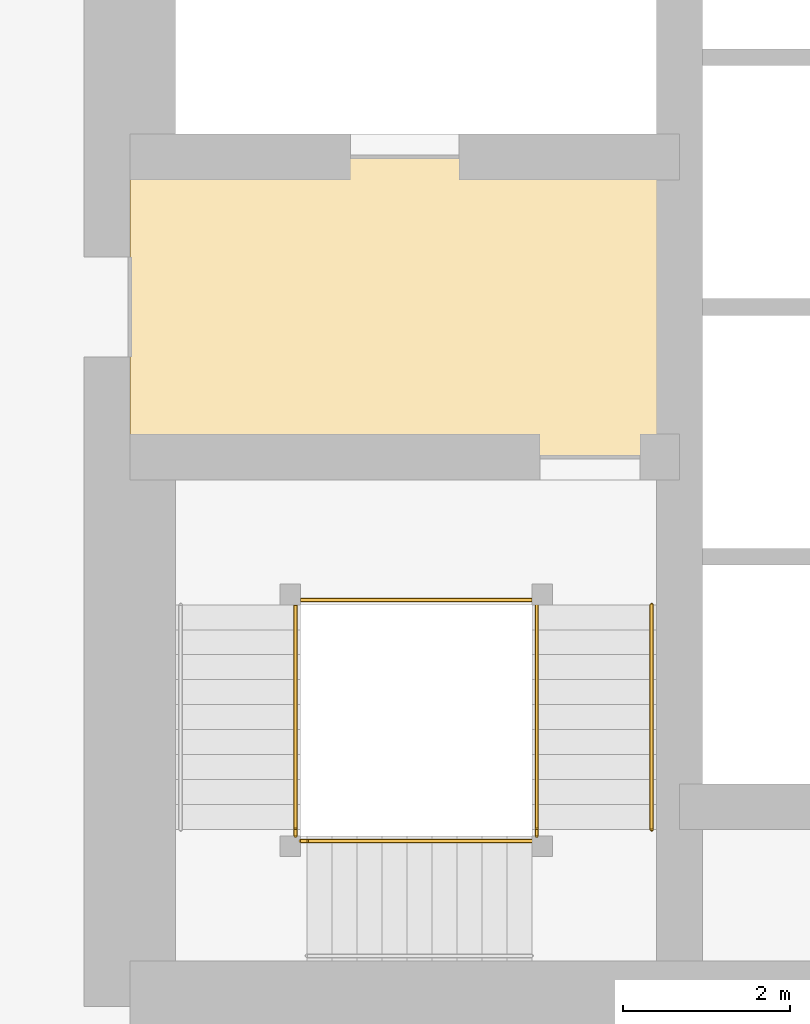
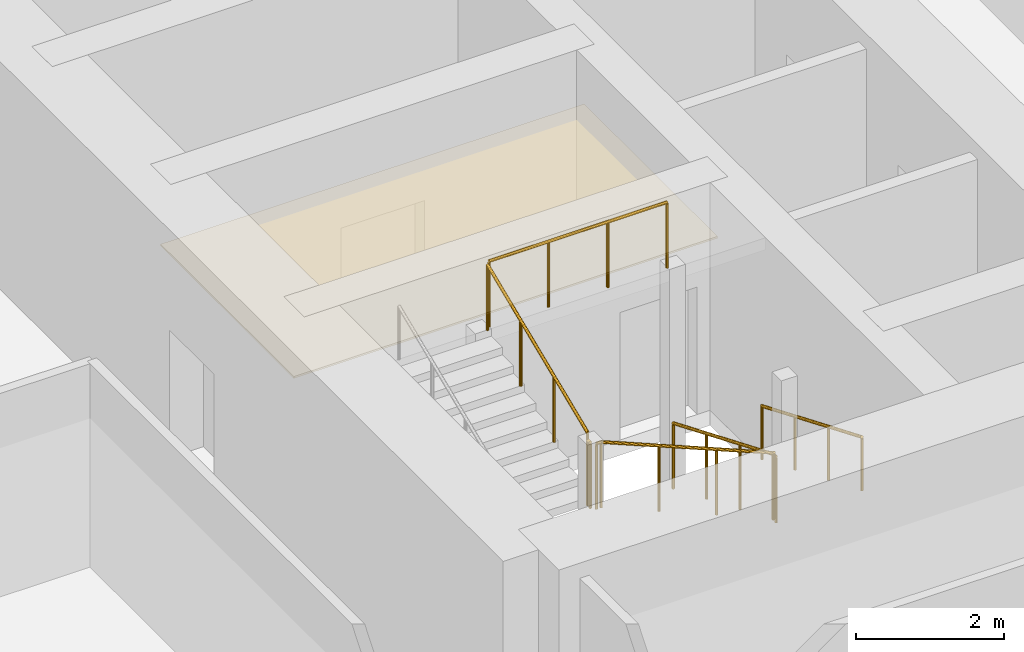
# One storey, part 37 of 44: 8 railings, 1 covering.
"""IFC4 building model written with IfcOpenShell, lengths in metres."""

from ifc_helpers import new_model, si_unit, direction, frame, origin, origin_2d, place, context, subcontext, project, spatial, polyline, circle, outline, extrude, material, layer, layer_set, type_object, element, save


model = new_model("IFC4")

# Units and contexts
model_context = context("Model", 3, precision=1e-05, world=origin(), true_north=direction((0.0, 1.0)))
body_context = subcontext(model_context, "Body", "Model", "MODEL_VIEW")
ifc_project = project(units=[si_unit("LENGTHUNIT", "METRE"), si_unit("AREAUNIT", "SQUARE_METRE"), si_unit("VOLUMEUNIT", "CUBIC_METRE"), si_unit("PLANEANGLEUNIT", "RADIAN"), si_unit("MASSUNIT", "GRAM", prefix="KILO")], contexts=[model_context])

# Site, building, storey
site_placement = place(None, origin())
site = spatial("IfcSite", under=ifc_project, at=site_placement, CompositionType="ELEMENT")
building_placement = place(site_placement, origin())
building = spatial("IfcBuilding", under=site, at=building_placement, Name="Rekha Terrace Tower", CompositionType="ELEMENT")
storey_placement = place(building_placement, frame((0.0, 0.0, 74.14990234375)))
storey = spatial("IfcBuildingStorey", under=building, at=storey_placement, Name="L18", CompositionType="ELEMENT", Elevation=74.14990234375)

# Covering
ifc_material_1 = material(Name="Powder-coated aluminium pan", Category="aluminium")
ifc_layer = layer(ifc_material_1, 0.030029296875)
ifc_layer_set = layer_set([ifc_layer], Name="Powder-coated aluminium pan")
covering_type = type_object("IfcCoveringType", Name="CL3 300x1200 metal pan ceiling", PredefinedType="CEILING", material=ifc_layer_set)
covering_placement = place(storey_placement, frame((0.0, 0.0, 2.570068359375)))
element("IfcCovering", 1, at=covering_placement, inside=storey, type_object=covering_type, Name="Ceiling L18-FLB1", PredefinedType="CEILING", context=body_context, shape_type="SweptSolid", body=[
    extrude(outline(polyline([(31.800048828125, 31.199951171875), (25.199951171875, 31.199951171875), (25.199951171875, 27.60009765625), (31.800048828125, 27.60009765625), (31.800048828125, 31.199951171875)])), origin(), (0.0, 0.0, 1.0), 0.030029296875),
])

# Railings
ifc_material_2 = material(Name="Stainless steel balustrade", Category="steel")
railing_type_1 = type_object("IfcRailingType", Name="GR1 1100 stair guard", PredefinedType="GUARDRAIL", material=ifc_material_2)
railing_1_placement = place(storey_placement, frame((30.0849609375, 25.824951171875, 0.125)))
element("IfcRailing", 2, at=railing_1_placement, inside=storey, type_object=railing_type_1, Name="Guard ST1 L18 flight 1", PredefinedType="GUARDRAIL", context=body_context, shape_type="SweptSolid", body=[
    extrude(circle(Radius=0.02392578125, at=origin_2d()), frame((0.0, 0.0, 1.076171875), z_axis=(0.0, -0.923074453586, 0.384621311341), x_axis=(1.0, 0.0, 0.0)), (0.0, 0.0, 1.0), 2.925048828125),
    extrude(circle(Radius=0.02099609375, at=origin_2d()), origin(), (0.0, 0.0, 1.0), 1.052001953125),
    extrude(circle(Radius=0.02099609375, at=origin_2d()), frame((0.0, -0.89990234375, 0.375)), (0.0, 0.0, 1.0), 1.052001953125),
    extrude(circle(Radius=0.02099609375, at=origin_2d()), frame((0.0, -1.800048828125, 0.75)), (0.0, 0.0, 1.0), 1.052001953125),
    extrude(circle(Radius=0.02099609375, at=origin_2d()), frame((0.0, -2.699951171875, 1.125)), (0.0, 0.0, 1.0), 1.052001953125),
])
railing_2_placement = place(storey_placement, frame((30.02490234375, 22.989990234375, 1.375)))
element("IfcRailing", 3, at=railing_2_placement, inside=storey, type_object=railing_type_1, Name="Guard ST1 L18 flight 2", PredefinedType="GUARDRAIL", context=body_context, shape_type="SweptSolid", body=[
    extrude(circle(Radius=0.02392578125, at=origin_2d()), frame((0.0, 0.0, 1.076171875), z_axis=(-0.923074453586, 0.0, 0.384621311341), x_axis=(0.0, -1.0, 0.0)), (0.0, 0.0, 1.0), 2.925048828125),
    extrude(circle(Radius=0.02099609375, at=origin_2d()), origin(), (0.0, 0.0, 1.0), 1.052001953125),
    extrude(circle(Radius=0.02099609375, at=origin_2d()), frame((-0.89990234375, 0.0, 0.375)), (0.0, 0.0, 1.0), 1.052001953125),
    extrude(circle(Radius=0.02099609375, at=origin_2d()), frame((-1.800048828125, 0.0, 0.75)), (0.0, 0.0, 1.0), 1.052001953125),
    extrude(circle(Radius=0.02099609375, at=origin_2d()), frame((-2.699951171875, 0.0, 1.125)), (0.0, 0.0, 1.0), 1.052001953125),
])
railing_3_placement = place(storey_placement, frame((27.18994140625, 23.125, 2.625)))
element("IfcRailing", 4, at=railing_3_placement, inside=storey, type_object=railing_type_1, Name="Guard ST1 L18 flight 3", PredefinedType="GUARDRAIL", context=body_context, shape_type="SweptSolid", body=[
    extrude(circle(Radius=0.02392578125, at=origin_2d()), frame((0.0, 0.0, 1.076171875), z_axis=(0.0, 0.923074453586, 0.384621311341), x_axis=(-1.0, 0.0, 0.0)), (0.0, 0.0, 1.0), 2.925048828125),
    extrude(circle(Radius=0.02099609375, at=origin_2d()), origin(), (0.0, 0.0, 1.0), 1.052001953125),
    extrude(circle(Radius=0.02099609375, at=origin_2d()), frame((0.0, 0.89990234375, 0.375)), (0.0, 0.0, 1.0), 1.052001953125),
    extrude(circle(Radius=0.02099609375, at=origin_2d()), frame((0.0, 1.800048828125, 0.75)), (0.0, 0.0, 1.0), 1.052001953125),
    extrude(circle(Radius=0.02099609375, at=origin_2d()), frame((0.0, 2.699951171875, 1.125)), (0.0, 0.0, 1.0), 1.052001953125),
])
railing_4_placement = place(storey_placement, frame((30.0849609375, 23.125, 1.25)))
element("IfcRailing", 5, at=railing_4_placement, inside=storey, type_object=railing_type_1, Name="Guard ST1 L18 landing 1", PredefinedType="GUARDRAIL", context=body_context, shape_type="SweptSolid", body=[
    extrude(circle(Radius=0.02392578125, at=origin_2d()), frame((0.0, 0.0, 1.076171875), z_axis=(0.0, -1.0, 0.0), x_axis=(1.0, 0.0, 0.0)), (0.0, 0.0, 1.0), 0.074951171875),
    extrude(circle(Radius=0.02099609375, at=origin_2d()), origin(), (0.0, 0.0, 1.0), 1.052001953125),
    extrude(circle(Radius=0.02099609375, at=origin_2d()), frame((0.0, -0.074951171875, 0.0)), (0.0, 0.0, 1.0), 1.052001953125),
])
railing_5_placement = place(storey_placement, frame((27.324951171875, 22.989990234375, 2.5)))
element("IfcRailing", 6, at=railing_5_placement, inside=storey, type_object=railing_type_1, Name="Guard ST1 L18 landing 2", PredefinedType="GUARDRAIL", context=body_context, shape_type="SweptSolid", body=[
    extrude(circle(Radius=0.02392578125, at=origin_2d()), frame((0.0, 0.0, 1.076171875), z_axis=(-1.0, 0.0, 0.0), x_axis=(0.0, -1.0, 0.0)), (0.0, 0.0, 1.0), 0.074951171875),
    extrude(circle(Radius=0.02099609375, at=origin_2d()), origin(), (0.0, 0.0, 1.0), 1.052001953125),
    extrude(circle(Radius=0.02099609375, at=origin_2d()), frame((-0.074951171875, 0.0, 0.0)), (0.0, 0.0, 1.0), 1.052001953125),
])
railing_6_placement = place(storey_placement, frame((27.18994140625, 23.125, 2.5)))
element("IfcRailing", 7, at=railing_6_placement, inside=storey, type_object=railing_type_1, Name="Guard ST1 L18 landing 3", PredefinedType="GUARDRAIL", context=body_context, shape_type="SweptSolid", body=[
    extrude(circle(Radius=0.02392578125, at=origin_2d()), frame((0.0, 0.0, 1.076171875), z_axis=(0.0, -1.0, 0.0), x_axis=(1.0, 0.0, 0.0)), (0.0, 0.0, 1.0), 0.074951171875),
    extrude(circle(Radius=0.02099609375, at=origin_2d()), origin(), (0.0, 0.0, 1.0), 1.052001953125),
    extrude(circle(Radius=0.02099609375, at=origin_2d()), frame((0.0, -0.074951171875, 0.0)), (0.0, 0.0, 1.0), 1.052001953125),
])
railing_7_placement = place(storey_placement, frame((30.02490234375, 25.885009765625, 3.75)))
element("IfcRailing", 8, at=railing_7_placement, inside=storey, type_object=railing_type_1, Name="Guard ST1 L18 landing 4", PredefinedType="GUARDRAIL", context=body_context, shape_type="SweptSolid", body=[
    extrude(circle(Radius=0.02392578125, at=origin_2d()), frame((0.0, 0.0, 1.076171875), z_axis=(-1.0, 0.0, 0.0), x_axis=(0.0, -1.0, 0.0)), (0.0, 0.0, 1.0), 2.77490234375),
    extrude(circle(Radius=0.02099609375, at=origin_2d()), origin(), (0.0, 0.0, 1.0), 1.052001953125),
    extrude(circle(Radius=0.02099609375, at=origin_2d()), frame((-0.925048828125, 0.0, 0.0)), (0.0, 0.0, 1.0), 1.052001953125),
    extrude(circle(Radius=0.02099609375, at=origin_2d()), frame((-1.849853515625, 0.0, 0.0)), (0.0, 0.0, 1.0), 1.052001953125),
    extrude(circle(Radius=0.02099609375, at=origin_2d()), frame((-2.77490234375, 0.0, 0.0)), (0.0, 0.0, 1.0), 1.052001953125),
])
ifc_material_3 = material(Name="Stainless steel tube", Category="steel")
railing_type_2 = type_object("IfcRailingType", Name="HR1 900 stair handrail", PredefinedType="HANDRAIL", material=ifc_material_3)
railing_8_placement = place(storey_placement, frame((31.465087890625, 25.824951171875, 0.125)))
element("IfcRailing", 9, at=railing_8_placement, inside=storey, type_object=railing_type_2, Name="Handrail ST1 L18 flight 1", PredefinedType="HANDRAIL", context=body_context, shape_type="SweptSolid", body=[
    extrude(circle(Radius=0.02392578125, at=origin_2d()), frame((0.0, 0.0, 0.8759765625), z_axis=(0.0, -0.923074453586, 0.384621311341), x_axis=(1.0, 0.0, 0.0)), (0.0, 0.0, 1.0), 2.925048828125),
    extrude(circle(Radius=0.02099609375, at=origin_2d()), origin(), (0.0, 0.0, 1.0), 0.851806640625),
    extrude(circle(Radius=0.02099609375, at=origin_2d()), frame((0.0, -0.89990234375, 0.375)), (0.0, 0.0, 1.0), 0.851806640625),
    extrude(circle(Radius=0.02099609375, at=origin_2d()), frame((0.0, -1.800048828125, 0.75)), (0.0, 0.0, 1.0), 0.851806640625),
    extrude(circle(Radius=0.02099609375, at=origin_2d()), frame((0.0, -2.699951171875, 1.125)), (0.0, 0.0, 1.0), 0.851806640625),
])

save(model, "model.ifc")
